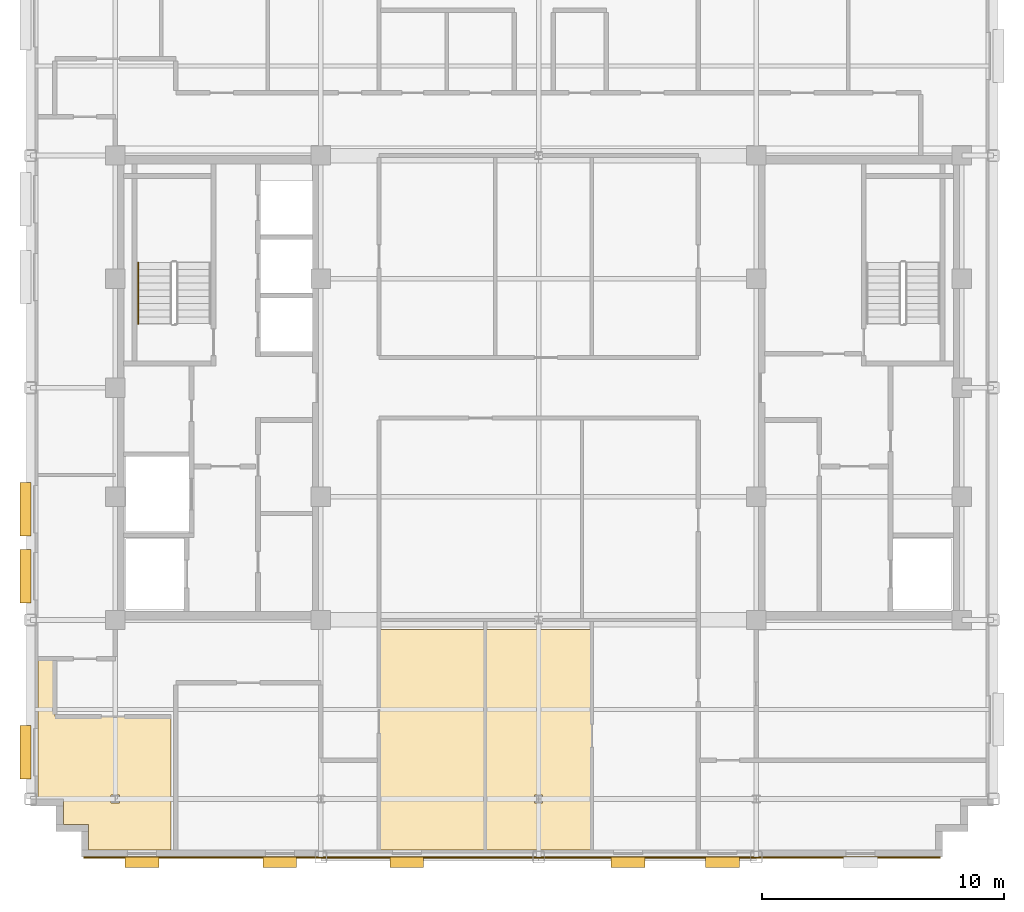
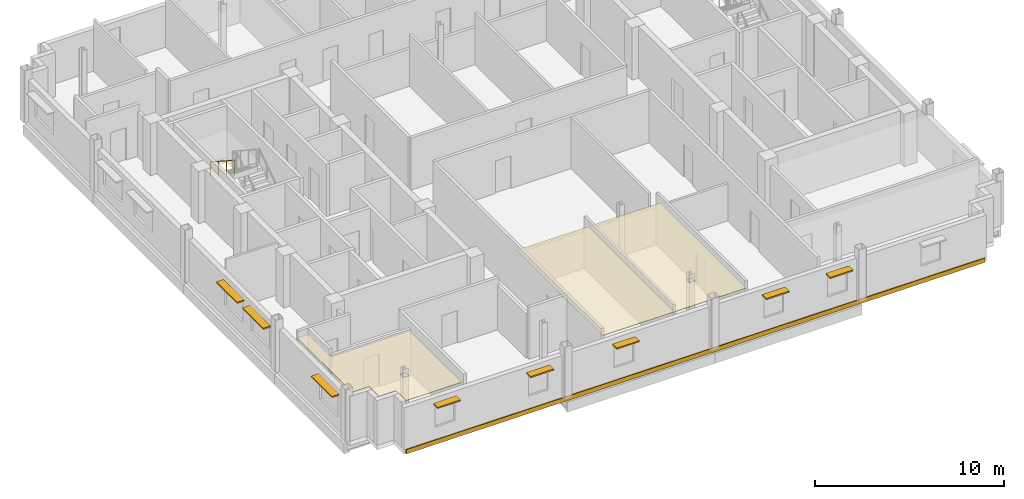
# One storey, part 10 of 14: 8 shading devices, 4 coverings, 1 railing.
"""IFC4 building model written with IfcOpenShell, lengths in metres."""

from ifc_helpers import new_model, si_unit, direction, frame, origin, origin_2d, place, context, subcontext, project, spatial, polyline, rectangle, circle, outline, extrude, source, transform, mapped, material, layer, layer_set, type_object, type_shapes, element, save


model = new_model("IFC4")

# Units and contexts
model_context = context("Model", 3, precision=1e-05, world=origin(), true_north=direction((0.0, 1.0)))
body_context = subcontext(model_context, "Body", "Model", "MODEL_VIEW")
ifc_project = project(units=[si_unit("LENGTHUNIT", "METRE"), si_unit("AREAUNIT", "SQUARE_METRE"), si_unit("VOLUMEUNIT", "CUBIC_METRE"), si_unit("PLANEANGLEUNIT", "RADIAN"), si_unit("MASSUNIT", "GRAM", prefix="KILO")], contexts=[model_context])

# Site, building, storey
site_placement = place(None, origin())
site = spatial("IfcSite", under=ifc_project, at=site_placement, CompositionType="ELEMENT")
building_placement = place(site_placement, origin())
building = spatial("IfcBuilding", under=site, at=building_placement, Name="Nuvemarco Arch Tower", CompositionType="ELEMENT")
storey_placement = place(building_placement, frame((0.0, 0.0, 268.89990234375)))
storey = spatial("IfcBuildingStorey", under=building, at=storey_placement, Name="L71", CompositionType="ELEMENT", Elevation=268.89990234375)

# Coverings
ifc_material_1 = material(Name="Mineral acoustic ceiling tile")
ifc_layer_1 = layer(ifc_material_1, 0.0400390625, Name="COV-ACOUSTIC-CLG")
ifc_layer_set_1 = layer_set([ifc_layer_1], Name="Mineral acoustic ceiling tile")
covering_type_1 = type_object("IfcCoveringType", Name="COV-ACOUSTIC-CLG", PredefinedType="CEILING", material=ifc_layer_set_1)
covering_1_placement = place(storey_placement, frame((0.0, 0.0, 2.85009765625)))
element("IfcCovering", 1, at=covering_1_placement, inside=storey, type_object=covering_type_1, Name="L71 suspended acoustic ceiling 5", PredefinedType="CEILING", context=body_context, shape_type="SweptSolid", body=[
    extrude(outline(polyline([(-6.60009765625, -10.0), (-2.199951171875, -10.0), (-2.199951171875, -19.10009765625), (-6.60009765625, -19.10009765625), (-6.60009765625, -15.39990234375), (-6.60009765625, -12.199951171875), (-6.60009765625, -10.0)])), origin(), (0.0, 0.0, 1.0), 0.0400390625),
])
covering_2_placement = place(storey_placement, frame((0.0, 0.0, 2.85009765625)))
element("IfcCovering", 2, at=covering_2_placement, inside=storey, type_object=covering_type_1, Name="L71 suspended acoustic ceiling 6", PredefinedType="CEILING", context=body_context, shape_type="SweptSolid", body=[
    extrude(outline(polyline([(2.199951171875, -19.10009765625), (-2.199951171875, -19.10009765625), (-2.199951171875, -10.0), (2.199951171875, -10.0), (2.199951171875, -19.10009765625)]), holes=[polyline([(0.169921875, -17.169921875), (0.169921875, -16.830078125), (-0.169921875, -16.830078125), (-0.169921875, -17.169921875), (0.169921875, -17.169921875)])]), origin(), (0.0, 0.0, 1.0), 0.0400390625),
])
covering_3_placement = place(storey_placement, frame((0.0, 0.0, 2.85009765625)))
element("IfcCovering", 3, at=covering_3_placement, inside=storey, type_object=covering_type_1, Name="L71 suspended acoustic ceiling 9", PredefinedType="CEILING", context=body_context, shape_type="SweptSolid", body=[
    extrude(outline(polyline([(-20.699951171875, -17.0), (-20.699951171875, -11.199951171875), (-20.0, -11.199951171875), (-20.0, -13.60009765625), (-15.199951171875, -13.60009765625), (-15.199951171875, -19.10009765625), (-18.60009765625, -19.10009765625), (-18.60009765625, -18.050048828125), (-19.64990234375, -18.050048828125), (-19.64990234375, -17.0), (-20.699951171875, -17.0)]), holes=[polyline([(-17.330078125, -16.830078125), (-17.669921875, -16.830078125), (-17.669921875, -17.169921875), (-17.330078125, -17.169921875), (-17.330078125, -16.830078125)])]), origin(), (0.0, 0.0, 1.0), 0.0400390625),
])

# Railing
ifc_material_2 = material(Name="Brushed stainless steel handrail", Category="steel")
railing_type = type_object("IfcRailingType", Name="RL-HANDRAIL-900", PredefinedType="HANDRAIL", material=ifc_material_2)
railing_placement = place(storey_placement, frame((-16.550048828125, 5.169921875, 2.007568359375)))
element("IfcRailing", 4, at=railing_placement, inside=storey, type_object=railing_type, Name="L71 ST-1 stair handrail 2", PredefinedType="HANDRAIL", context=body_context, shape_type="SweptSolid", body=[
    extrude(circle(Radius=0.02392578125, at=origin_2d()), frame((0.0, 0.0, 0.8759765625), z_axis=(0.0, -0.837749427056, 0.546054848405), x_axis=(1.0, 0.0, 0.0)), (0.0, 0.0, 1.0), 3.008056640625),
    extrude(circle(Radius=0.02099609375, at=origin_2d()), origin(), (0.0, 0.0, 1.0), 0.851806640625),
    extrude(circle(Radius=0.02099609375, at=origin_2d()), frame((0.0, -0.840087890625, 0.547607421875)), (0.0, 0.0, 1.0), 0.851806640625),
    extrude(circle(Radius=0.02099609375, at=origin_2d()), frame((0.0, -1.679931640625, 1.094970703125)), (0.0, 0.0, 1.0), 0.851806640625),
    extrude(circle(Radius=0.02099609375, at=origin_2d()), frame((0.0, -2.52001953125, 1.642578125)), (0.0, 0.0, 1.0), 0.851806640625),
])

# Shading devices
ifc_material_3 = material(Name="Anodised aluminium 6063-T6", Category="aluminium")
shading_device_type_1 = type_object("IfcShadingDeviceType", Name="SHD-BRISE-SOLEIL", PredefinedType="USERDEFINED", material=ifc_material_3)
shared_shape_1 = source(origin(), body_context, "Body", "SweptSolid", [
    extrude(rectangle(XDim=2.199951171875, YDim=0.449951171875, at=origin_2d()), origin(), (0.0, 0.0, 1.0), 0.080078125),
])
type_shapes(shading_device_type_1, [shared_shape_1])
for number, where, z_axis, x_axis, name in (
    (5, (-21.215087890625, -15.067626953125, 2.28515625), (0.0, 0.0, 1.0), (0.0, 1.0, 0.0), "L71 horizontal brise-soleil sunshade"),
    (6, (-21.215087890625, -7.795166015625, 2.28515625), (0.0, 0.0, 1.0), (0.0, 1.0, 0.0), "L71 horizontal brise-soleil sunshade"),
    (7, (-21.215087890625, -5.022705078125, 2.28515625), (0.0, 0.0, 1.0), (0.0, 1.0, 0.0), "L71 horizontal brise-soleil sunshade"),
):
    element("IfcShadingDevice", number, at=place(storey_placement, frame(where, z_axis=z_axis, x_axis=x_axis)), inside=storey, type_object=shading_device_type_1, Name=name, ObjectType="SUNSHADE", PredefinedType="USERDEFINED", context=body_context, shape_type="MappedRepresentation", body=[
        mapped(shared_shape_1, transform((0.0, 0.0, 0.0), scale=1.0)),
    ])
shading_device_type_2 = type_object("IfcShadingDeviceType", Name="SHD-BRISE-NARROW", PredefinedType="USERDEFINED", material=ifc_material_3)
shared_shape_2 = source(origin(), body_context, "Body", "SweptSolid", [
    extrude(rectangle(XDim=1.39990234375, YDim=0.449951171875, at=origin_2d()), origin(), (0.0, 0.0, 1.0), 0.080078125),
])
type_shapes(shading_device_type_2, [shared_shape_2])
for number, where, z_axis, x_axis, name in (
    (8, (-16.39990234375, -19.614990234375, 2.28515625), (0.0, 0.0, 1.0), (1.0, 0.0, 0.0), "L71 horizontal brise-soleil sunshade"),
    (9, (-10.699951171875, -19.614990234375, 2.28515625), (0.0, 0.0, 1.0), (1.0, 0.0, 0.0), "L71 horizontal brise-soleil sunshade"),
    (10, (-5.449951171875, -19.614990234375, 2.28515625), (0.0, 0.0, 1.0), (1.0, 0.0, 0.0), "L71 horizontal brise-soleil sunshade"),
    (11, (3.699951171875, -19.614990234375, 2.28515625), (0.0, 0.0, 1.0), (1.0, 0.0, 0.0), "L71 horizontal brise-soleil sunshade"),
    (12, (7.60009765625, -19.614990234375, 2.28515625), (0.0, 0.0, 1.0), (1.0, 0.0, 0.0), "L71 horizontal brise-soleil sunshade"),
):
    element("IfcShadingDevice", number, at=place(storey_placement, frame(where, z_axis=z_axis, x_axis=x_axis)), inside=storey, type_object=shading_device_type_2, Name=name, ObjectType="SUNSHADE", PredefinedType="USERDEFINED", context=body_context, shape_type="MappedRepresentation", body=[
        mapped(shared_shape_2, transform((0.0, 0.0, 0.0), scale=1.0)),
    ])

# Covering
ifc_material_4 = material(Name="Precast concrete C45/55", Category="concrete")
ifc_layer_2 = layer(ifc_material_4, 0.06005859375, Name="COV-SPANDREL-CLAD")
ifc_layer_set_2 = layer_set([ifc_layer_2], Name="Precast concrete C45/55")
covering_type_2 = type_object("IfcCoveringType", Name="COV-SPANDREL-CLAD", PredefinedType="CLADDING", material=ifc_layer_set_2)
shared_shape_3 = source(origin(), body_context, "Body", "SweptSolid", [
    extrude(rectangle(XDim=35.39990234375, YDim=0.06005859375, at=origin_2d()), origin(), (0.0, 0.0, 1.0), 0.280029296875),
])
type_shapes(covering_type_2, [shared_shape_3])
covering_4_placement = place(storey_placement, frame((-1.10009765625, -19.428955078125, -0.27978515625), z_axis=(0.0, 0.0, 1.0), x_axis=(1.0, 0.0, 0.0)))
element("IfcCovering", 13, at=covering_4_placement, inside=storey, type_object=covering_type_2, Name="L71 precast spandrel edge cladding south", PredefinedType="CLADDING", context=body_context, shape_type="MappedRepresentation", body=[
    mapped(shared_shape_3, transform((0.0, 0.0, 0.0), scale=1.0)),
])

save(model, "model.ifc")
